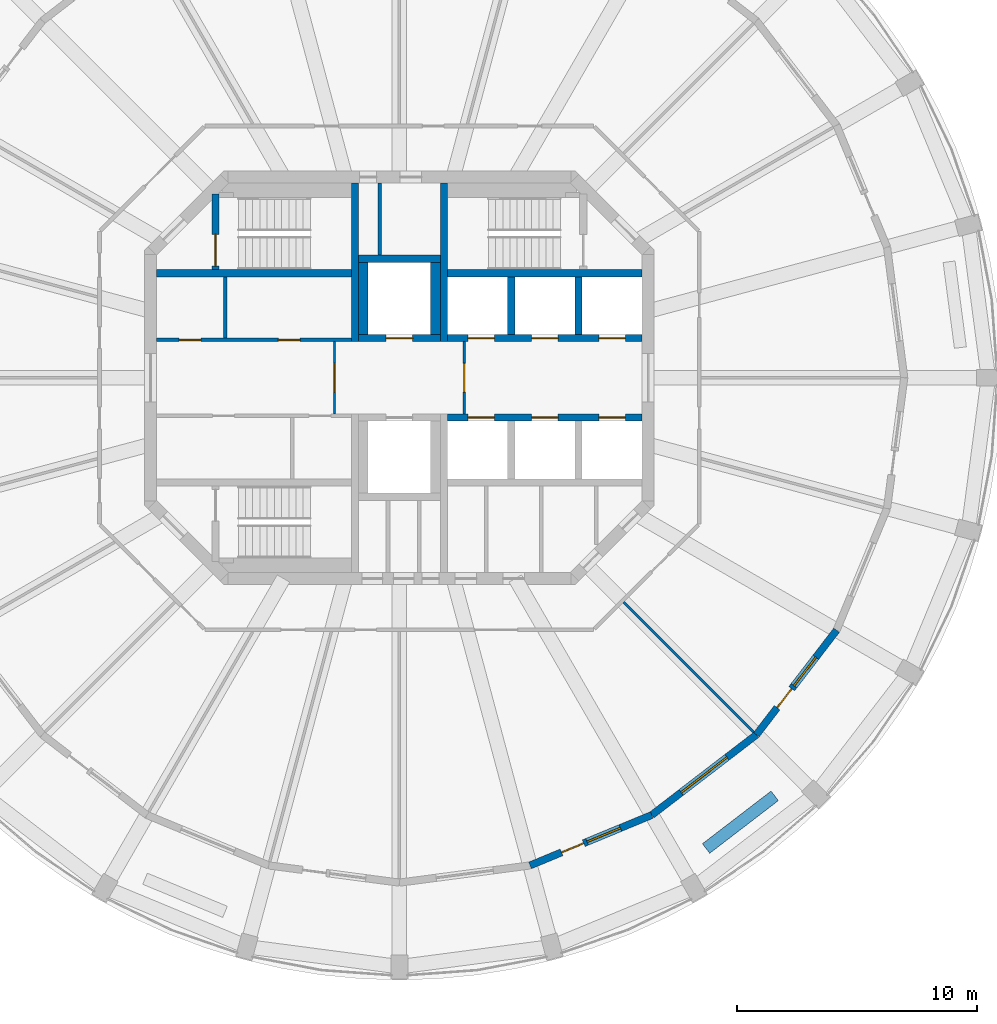
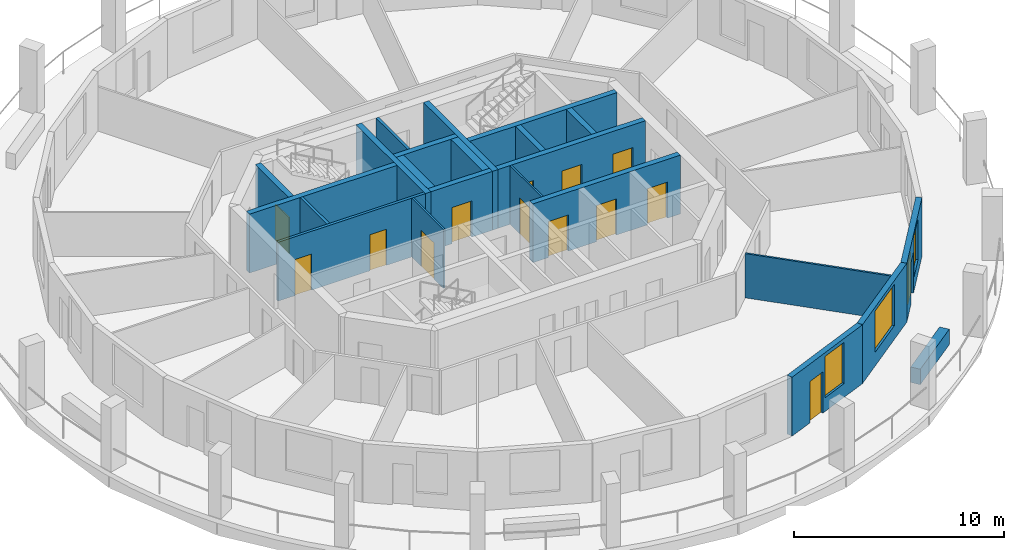
# One storey, part 4 of 9: 23 walls, 14 doors, 3 windows, 17 openings.
"""IFC4 building model written with IfcOpenShell, lengths in metres."""

from ifc_helpers import new_model, si_unit, direction, frame, frame_2d, origin, place, context, subcontext, project, spatial, rectangle, extrude, material, layer, layer_set, type_object, element, fill, save


model = new_model("IFC4")

# Units and contexts
model_context = context("Model", 3, precision=1e-05, world=origin(), true_north=direction((0.0, 1.0)))
body_context = subcontext(model_context, "Body", "Model", "MODEL_VIEW")
ifc_project = project(units=[si_unit("LENGTHUNIT", "METRE"), si_unit("AREAUNIT", "SQUARE_METRE"), si_unit("VOLUMEUNIT", "CUBIC_METRE"), si_unit("PLANEANGLEUNIT", "RADIAN"), si_unit("MASSUNIT", "GRAM", prefix="KILO")], contexts=[model_context])

# Site, building, storey
site_placement = place(None, origin())
site = spatial("IfcSite", under=ifc_project, at=site_placement, CompositionType="ELEMENT")
building_placement = place(site_placement, origin())
building = spatial("IfcBuilding", under=site, at=building_placement, Name="Torre Triforio", CompositionType="ELEMENT")
storey_placement = place(building_placement, frame((0.0, 0.0, 264.89990234375)))
storey = spatial("IfcBuildingStorey", under=building, at=storey_placement, Name="L61", CompositionType="ELEMENT", Elevation=264.89990234375)

# Walls
ifc_material_1 = material(Name="Concrete C40", Category="concrete")
ifc_layer_1 = layer(ifc_material_1, 0.300048828125)
ifc_layer_set_1 = layer_set([ifc_layer_1], Name="Concrete C40")
wall_type_1 = type_object("IfcWallType", Name="Core wall 300 mm C40 EI 120", PredefinedType="SHEAR", material=ifc_layer_set_1)
for number, where, z_axis, x_axis, name in (
    (1, (-1.85009765625, 1.5, 0.0), (0.0, 0.0, 1.0), (0.0, 1.0, 0.0), "Core wall"),
    (2, (1.85009765625, 1.5, 0.0), (0.0, 0.0, 1.0), (0.0, 1.0, 0.0), "Core wall"),
):
    element("IfcWall", number, at=place(storey_placement, frame(where, z_axis=z_axis, x_axis=x_axis)), inside=storey, type_object=wall_type_1, Name=name, PredefinedType="SHEAR", context=body_context, shape_type="SweptSolid", body=[
        extrude(rectangle(XDim=6.60009765625, YDim=0.300048828125, at=frame_2d((3.300048828125, 0.0))), origin(), (0.0, 0.0, 1.0), 3.420166015625),
    ])

# Wall, opening, door
ifc_material_2 = material(Name="Block and board partition")
ifc_layer_2 = layer(ifc_material_2, 0.10009765625)
ifc_layer_set_2 = layer_set([ifc_layer_2], Name="Block and board partition")
wall_type_2 = type_object("IfcWallType", Name="Partition 100 mm EI 120", PredefinedType="PARTITIONING", material=ifc_layer_set_2)
wall_1_placement = place(storey_placement, frame((-2.699951171875, -1.5, 0.0), z_axis=(0.0, 0.0, 1.0), x_axis=(0.0, 1.0, 0.0)))
wall_1 = element("IfcWall", 3, at=wall_1_placement, inside=storey, type_object=wall_type_2, Name="Partition", PredefinedType="PARTITIONING", context=body_context, shape_type="SweptSolid", body=[
    extrude(rectangle(XDim=3.0, YDim=0.10009765625, at=frame_2d((1.5, 0.0))), origin(), (0.0, 0.0, 1.0), 3.420166015625),
])
opening_1_placement = place(wall_1_placement, frame((0.89990234375, 0.0, 0.0)))
opening_1 = element("IfcOpeningElement", 4, at=opening_1_placement, cuts=wall_1, Name="Opening FF-W", PredefinedType="OPENING", context=body_context, shape_type="SweptSolid", body=[
    extrude(rectangle(XDim=1.199951171875, YDim=2.10009765625, at=frame_2d((0.60009765625, 1.050048828125))), frame((0.0, 0.06005859375, 0.0), z_axis=(0.0, -1.0, 0.0), x_axis=(1.0, 0.0, 0.0)), (0.0, 0.0, 1.0), 0.1201171875),
])
ifc_material_3 = material(Name="Hollow metal fire door leaf")
door_type_1 = type_object("IfcDoorType", Name="Fire-fighting lobby door 1200 x 2100 EI 60", OperationType="NOTDEFINED", PredefinedType="DOOR", material=ifc_material_3)
door_1_placement = place(opening_1_placement, origin())
door_1 = element("IfcDoor", 5, at=door_1_placement, inside=storey, type_object=door_type_1, Name="Core door FF-W", OperationType="SINGLE_SWING_LEFT", OverallHeight=2.10009765625, OverallWidth=1.199951171875, PredefinedType="DOOR", context=body_context, shape_type="SweptSolid", body=[
    extrude(rectangle(XDim=1.199951171875, YDim=2.10009765625, at=frame_2d((0.60009765625, 1.050048828125))), frame((0.0, 0.02490234375, 0.0), z_axis=(0.0, -1.0, 0.0), x_axis=(1.0, 0.0, 0.0)), (0.0, 0.0, 1.0), 0.050048828125),
])
fill(opening_1, door_1)

wall_2_placement = place(storey_placement, frame((2.699951171875, -1.5, 0.0), z_axis=(0.0, 0.0, 1.0), x_axis=(0.0, 1.0, 0.0)))
wall_2 = element("IfcWall", 6, at=wall_2_placement, inside=storey, type_object=wall_type_2, Name="Partition", PredefinedType="PARTITIONING", context=body_context, shape_type="SweptSolid", body=[
    extrude(rectangle(XDim=3.0, YDim=0.10009765625, at=frame_2d((1.5, 0.0))), origin(), (0.0, 0.0, 1.0), 3.420166015625),
])
opening_2_placement = place(wall_2_placement, frame((0.89990234375, 0.0, 0.0)))
opening_2 = element("IfcOpeningElement", 7, at=opening_2_placement, cuts=wall_2, Name="Opening FF-E", PredefinedType="OPENING", context=body_context, shape_type="SweptSolid", body=[
    extrude(rectangle(XDim=1.199951171875, YDim=2.10009765625, at=frame_2d((0.60009765625, 1.050048828125))), frame((0.0, 0.06005859375, 0.0), z_axis=(0.0, -1.0, 0.0), x_axis=(1.0, 0.0, 0.0)), (0.0, 0.0, 1.0), 0.1201171875),
])
door_2_placement = place(opening_2_placement, origin())
door_2 = element("IfcDoor", 8, at=door_2_placement, inside=storey, type_object=door_type_1, Name="Core door FF-E", OperationType="SINGLE_SWING_LEFT", OverallHeight=2.10009765625, OverallWidth=1.199951171875, PredefinedType="DOOR", context=body_context, shape_type="SweptSolid", body=[
    extrude(rectangle(XDim=1.199951171875, YDim=2.10009765625, at=frame_2d((0.60009765625, 1.050048828125))), frame((0.0, 0.02490234375, 0.0), z_axis=(0.0, -1.0, 0.0), x_axis=(1.0, 0.0, 0.0)), (0.0, 0.0, 1.0), 0.050048828125),
])
fill(opening_2, door_2)

# Walls
ifc_material_4 = material(Name="Plasterboard on metal studs")
ifc_layer_3 = layer(ifc_material_4, 0.10009765625)
ifc_layer_set_3 = layer_set([ifc_layer_3], Name="Plasterboard on metal studs")
wall_type_3 = type_object("IfcWallType", Name="Partition 100 mm board on metal studs", PredefinedType="PARTITIONING", material=ifc_layer_set_3)
wall_3_placement = place(storey_placement, frame((9.33251953125, -9.33251953125, 0.0), z_axis=(0.0, 0.0, 1.0), x_axis=(0.707106781187, -0.707106781187, 0.0)))
element("IfcWall", 9, at=wall_3_placement, inside=storey, type_object=wall_type_3, Name="Partition 24", PredefinedType="PARTITIONING", context=body_context, shape_type="SweptSolid", body=[
    extrude(rectangle(XDim=7.638671875, YDim=0.10009765625, at=frame_2d((3.8193359375, 0.0))), origin(), (0.0, 0.0, 1.0), 2.570068359375),
])
ifc_layer_4 = layer(ifc_material_2, 0.14990234375)
ifc_layer_set_4 = layer_set([ifc_layer_4], Name="Block and board partition")
wall_type_4 = type_object("IfcWallType", Name="Partition 150 mm", PredefinedType="PARTITIONING", material=ifc_layer_set_4)
wall_4_placement = place(storey_placement, frame((-7.242431640625, 1.64990234375, 0.0), z_axis=(0.0, 0.0, 1.0), x_axis=(0.0, 1.0, 0.0)))
element("IfcWall", 10, at=wall_4_placement, inside=storey, type_object=wall_type_4, Name="Partition", PredefinedType="PARTITIONING", context=body_context, shape_type="SweptSolid", body=[
    extrude(rectangle(XDim=2.550048828125, YDim=0.14990234375, at=frame_2d((1.27490234375, 0.0))), origin(), (0.0, 0.0, 1.0), 3.420166015625),
])
ifc_layer_5 = layer(ifc_material_2, 0.14990234375)
ifc_layer_set_5 = layer_set([ifc_layer_5], Name="Block and board partition")
wall_type_5 = type_object("IfcWallType", Name="Partition 150 mm EI 120", PredefinedType="PARTITIONING", material=ifc_layer_set_5)
wall_5_placement = place(storey_placement, frame((-0.824951171875, 5.10009765625, 0.0), z_axis=(0.0, 0.0, 1.0), x_axis=(0.0, 1.0, 0.0)))
element("IfcWall", 11, at=wall_5_placement, inside=storey, type_object=wall_type_5, Name="Partition", PredefinedType="PARTITIONING", context=body_context, shape_type="SweptSolid", body=[
    extrude(rectangle(XDim=3.0, YDim=0.14990234375, at=frame_2d((1.5, 0.0))), origin(), (0.0, 0.0, 1.0), 3.420166015625),
])

# Wall, openings, doors
wall_6_placement = place(storey_placement, frame((-10.10009765625, 1.574951171875, 0.0), z_axis=(0.0, 0.0, 1.0), x_axis=(1.0, 0.0, 0.0)))
wall_6 = element("IfcWall", 12, at=wall_6_placement, inside=storey, type_object=wall_type_5, Name="Partition", PredefinedType="PARTITIONING", context=body_context, shape_type="SweptSolid", body=[
    extrude(rectangle(XDim=8.10009765625, YDim=0.14990234375, at=frame_2d((4.050048828125, 0.0))), origin(), (0.0, 0.0, 1.0), 3.420166015625),
])
opening_3_placement = place(wall_6_placement, frame((0.941162109375, 0.0, 0.0)))
opening_3 = element("IfcOpeningElement", 13, at=opening_3_placement, cuts=wall_6, Name="Opening FN-01A", PredefinedType="OPENING", context=body_context, shape_type="SweptSolid", body=[
    extrude(rectangle(XDim=0.89990234375, YDim=2.10009765625, at=frame_2d((0.449951171875, 1.050048828125))), frame((0.0, 0.0849609375, 0.0), z_axis=(0.0, -1.0, 0.0), x_axis=(1.0, 0.0, 0.0)), (0.0, 0.0, 1.0), 0.169921875),
])
opening_4_placement = place(wall_6_placement, frame((5.066162109375, 0.0, 0.0)))
opening_4 = element("IfcOpeningElement", 14, at=opening_4_placement, cuts=wall_6, Name="Opening FN-02", PredefinedType="OPENING", context=body_context, shape_type="SweptSolid", body=[
    extrude(rectangle(XDim=0.89990234375, YDim=2.10009765625, at=frame_2d((0.449951171875, 1.050048828125))), frame((0.0, 0.0849609375, 0.0), z_axis=(0.0, -1.0, 0.0), x_axis=(1.0, 0.0, 0.0)), (0.0, 0.0, 1.0), 0.169921875),
])
door_type_2 = type_object("IfcDoorType", Name="Plant room door 900 x 2100 EI 60", OperationType="NOTDEFINED", PredefinedType="DOOR", material=ifc_material_3)
door_3_placement = place(opening_3_placement, origin())
door_3 = element("IfcDoor", 15, at=door_3_placement, inside=storey, type_object=door_type_2, Name="Core door FN-01", OperationType="SINGLE_SWING_RIGHT", OverallHeight=2.10009765625, OverallWidth=0.89990234375, PredefinedType="DOOR", context=body_context, shape_type="SweptSolid", body=[
    extrude(rectangle(XDim=0.89990234375, YDim=2.10009765625, at=frame_2d((0.449951171875, 1.050048828125))), frame((0.0, 0.02490234375, 0.0), z_axis=(0.0, -1.0, 0.0), x_axis=(1.0, 0.0, 0.0)), (0.0, 0.0, 1.0), 0.050048828125),
])
fill(opening_3, door_3)
door_type_3 = type_object("IfcDoorType", Name="Room door 900 x 2100 EI 60", OperationType="NOTDEFINED", PredefinedType="DOOR", material=ifc_material_3)
door_4_placement = place(opening_4_placement, origin())
door_4 = element("IfcDoor", 16, at=door_4_placement, inside=storey, type_object=door_type_3, Name="Core door FN-02", OperationType="SINGLE_SWING_RIGHT", OverallHeight=2.10009765625, OverallWidth=0.89990234375, PredefinedType="DOOR", context=body_context, shape_type="SweptSolid", body=[
    extrude(rectangle(XDim=0.89990234375, YDim=2.10009765625, at=frame_2d((0.449951171875, 1.050048828125))), frame((0.0, 0.02490234375, 0.0), z_axis=(0.0, -1.0, 0.0), x_axis=(1.0, 0.0, 0.0)), (0.0, 0.0, 1.0), 0.050048828125),
])
fill(opening_4, door_4)

# Walls
ifc_material_5 = material(Name="Limestone cladding", Category="masonry")
ifc_layer_6 = layer(ifc_material_5, 0.10009765625)
ifc_layer_7 = layer(ifc_material_1, 0.39990234375)
ifc_layer_set_6 = layer_set([ifc_layer_6, ifc_layer_7], Name="Limestone cladding / Concrete C40")
wall_type_6 = type_object("IfcWallType", Name="Planter wall 500", PredefinedType="PARAPET", material=ifc_layer_set_6)
wall_7_placement = place(storey_placement, frame((12.756103515625, -19.580810546875, 0.0), z_axis=(0.0, 0.0, 1.0), x_axis=(0.793384730612, 0.608720518162, 0.0)))
element("IfcWall", 17, at=wall_7_placement, inside=storey, type_object=wall_type_6, Name="Planter L61 bay 21", PredefinedType="PARAPET", context=body_context, shape_type="SweptSolid", body=[
    extrude(rectangle(XDim=3.60009765625, YDim=0.5, at=frame_2d((1.800048828125, 0.0))), origin(), (0.0, 0.0, 1.0), 0.900146484375),
])
ifc_layer_8 = layer(ifc_material_1, 0.300048828125)
ifc_layer_set_7 = layer_set([ifc_layer_8], Name="Concrete C40")
wall_type_7 = type_object("IfcWallType", Name="Shaft wall 300 mm C40 EI 120", PredefinedType="SOLIDWALL", material=ifc_layer_set_7)
for number, where, z_axis, x_axis, name in (
    (18, (-10.10009765625, 4.35009765625, 0.0), (0.0, 0.0, 1.0), (1.0, 0.0, 0.0), "Shaft wall"),
    (19, (2.0, 4.35009765625, 0.0), (0.0, 0.0, 1.0), (1.0, 0.0, 0.0), "Shaft wall"),
):
    element("IfcWall", number, at=place(storey_placement, frame(where, z_axis=z_axis, x_axis=x_axis)), inside=storey, type_object=wall_type_7, Name=name, PredefinedType="SOLIDWALL", context=body_context, shape_type="SweptSolid", body=[
        extrude(rectangle(XDim=8.10009765625, YDim=0.300048828125, at=frame_2d((4.050048828125, 0.0))), origin(), (0.0, 0.0, 1.0), 3.420166015625),
    ])

# Wall, openings, doors
wall_8_placement = place(storey_placement, frame((2.0, 1.64990234375, 0.0), z_axis=(0.0, 0.0, 1.0), x_axis=(1.0, 0.0, 0.0)))
wall_8 = element("IfcWall", 20, at=wall_8_placement, inside=storey, type_object=wall_type_7, Name="Shaft wall", PredefinedType="SOLIDWALL", context=body_context, shape_type="SweptSolid", body=[
    extrude(rectangle(XDim=8.10009765625, YDim=0.300048828125, at=frame_2d((4.050048828125, 0.0))), origin(), (0.0, 0.0, 1.0), 3.420166015625),
])
opening_5_placement = place(wall_8_placement, frame((0.85009765625, 0.0, 0.0)))
opening_5 = element("IfcOpeningElement", 21, at=opening_5_placement, cuts=wall_8, Name="Opening LD", PredefinedType="OPENING", context=body_context, shape_type="SweptSolid", body=[
    extrude(rectangle(XDim=1.10009765625, YDim=2.10009765625, at=frame_2d((0.550048828125, 1.050048828125))), frame((0.0, 0.159912109375, 0.0), z_axis=(0.0, -1.0, 0.0), x_axis=(1.0, 0.0, 0.0)), (0.0, 0.0, 1.0), 0.320068359375),
])
opening_6_placement = place(wall_8_placement, frame((3.5, 0.0, 0.0)))
opening_6 = element("IfcOpeningElement", 22, at=opening_6_placement, cuts=wall_8, Name="Opening LD", PredefinedType="OPENING", context=body_context, shape_type="SweptSolid", body=[
    extrude(rectangle(XDim=1.10009765625, YDim=2.10009765625, at=frame_2d((0.550048828125, 1.050048828125))), frame((0.0, 0.159912109375, 0.0), z_axis=(0.0, -1.0, 0.0), x_axis=(1.0, 0.0, 0.0)), (0.0, 0.0, 1.0), 0.320068359375),
])
opening_7_placement = place(wall_8_placement, frame((6.300048828125, 0.0, 0.0)))
opening_7 = element("IfcOpeningElement", 23, at=opening_7_placement, cuts=wall_8, Name="Opening LD", PredefinedType="OPENING", context=body_context, shape_type="SweptSolid", body=[
    extrude(rectangle(XDim=1.10009765625, YDim=2.10009765625, at=frame_2d((0.550048828125, 1.050048828125))), frame((0.0, 0.159912109375, 0.0), z_axis=(0.0, -1.0, 0.0), x_axis=(1.0, 0.0, 0.0)), (0.0, 0.0, 1.0), 0.320068359375),
])
door_type_4 = type_object("IfcDoorType", Name="Landing door 1100 x 2100 EI 60", OperationType="DOUBLE_DOOR_SLIDING", PredefinedType="DOOR", material=ifc_material_3)
door_5_placement = place(opening_5_placement, origin())
door_5 = element("IfcDoor", 24, at=door_5_placement, inside=storey, type_object=door_type_4, Name="Landing door HR1", OperationType="DOUBLE_DOOR_SLIDING", OverallHeight=2.10009765625, OverallWidth=1.10009765625, PredefinedType="DOOR", context=body_context, shape_type="SweptSolid", body=[
    extrude(rectangle(XDim=1.10009765625, YDim=2.10009765625, at=frame_2d((0.550048828125, 1.050048828125))), frame((0.0, 0.02490234375, 0.0), z_axis=(0.0, -1.0, 0.0), x_axis=(1.0, 0.0, 0.0)), (0.0, 0.0, 1.0), 0.050048828125),
])
fill(opening_5, door_5)
door_6_placement = place(opening_6_placement, origin())
door_6 = element("IfcDoor", 25, at=door_6_placement, inside=storey, type_object=door_type_4, Name="Landing door HR2", OperationType="DOUBLE_DOOR_SLIDING", OverallHeight=2.10009765625, OverallWidth=1.10009765625, PredefinedType="DOOR", context=body_context, shape_type="SweptSolid", body=[
    extrude(rectangle(XDim=1.10009765625, YDim=2.10009765625, at=frame_2d((0.550048828125, 1.050048828125))), frame((0.0, 0.02490234375, 0.0), z_axis=(0.0, -1.0, 0.0), x_axis=(1.0, 0.0, 0.0)), (0.0, 0.0, 1.0), 0.050048828125),
])
fill(opening_6, door_6)
door_7_placement = place(opening_7_placement, origin())
door_7 = element("IfcDoor", 26, at=door_7_placement, inside=storey, type_object=door_type_4, Name="Landing door HR3", OperationType="DOUBLE_DOOR_SLIDING", OverallHeight=2.10009765625, OverallWidth=1.10009765625, PredefinedType="DOOR", context=body_context, shape_type="SweptSolid", body=[
    extrude(rectangle(XDim=1.10009765625, YDim=2.10009765625, at=frame_2d((0.550048828125, 1.050048828125))), frame((0.0, 0.02490234375, 0.0), z_axis=(0.0, -1.0, 0.0), x_axis=(1.0, 0.0, 0.0)), (0.0, 0.0, 1.0), 0.050048828125),
])
fill(opening_7, door_7)

wall_9_placement = place(storey_placement, frame((2.0, -1.64990234375, 0.0), z_axis=(0.0, 0.0, 1.0), x_axis=(1.0, 0.0, 0.0)))
wall_9 = element("IfcWall", 27, at=wall_9_placement, inside=storey, type_object=wall_type_7, Name="Shaft wall", PredefinedType="SOLIDWALL", context=body_context, shape_type="SweptSolid", body=[
    extrude(rectangle(XDim=8.10009765625, YDim=0.300048828125, at=frame_2d((4.050048828125, 0.0))), origin(), (0.0, 0.0, 1.0), 3.420166015625),
])
opening_8_placement = place(wall_9_placement, frame((0.85009765625, 0.0, 0.0)))
opening_8 = element("IfcOpeningElement", 28, at=opening_8_placement, cuts=wall_9, Name="Opening LD", PredefinedType="OPENING", context=body_context, shape_type="SweptSolid", body=[
    extrude(rectangle(XDim=1.10009765625, YDim=2.10009765625, at=frame_2d((0.550048828125, 1.050048828125))), frame((0.0, 0.159912109375, 0.0), z_axis=(0.0, -1.0, 0.0), x_axis=(1.0, 0.0, 0.0)), (0.0, 0.0, 1.0), 0.320068359375),
])
opening_9_placement = place(wall_9_placement, frame((3.5, 0.0, 0.0)))
opening_9 = element("IfcOpeningElement", 29, at=opening_9_placement, cuts=wall_9, Name="Opening LD", PredefinedType="OPENING", context=body_context, shape_type="SweptSolid", body=[
    extrude(rectangle(XDim=1.10009765625, YDim=2.10009765625, at=frame_2d((0.550048828125, 1.050048828125))), frame((0.0, 0.159912109375, 0.0), z_axis=(0.0, -1.0, 0.0), x_axis=(1.0, 0.0, 0.0)), (0.0, 0.0, 1.0), 0.320068359375),
])
opening_10_placement = place(wall_9_placement, frame((6.300048828125, 0.0, 0.0)))
opening_10 = element("IfcOpeningElement", 30, at=opening_10_placement, cuts=wall_9, Name="Opening LD", PredefinedType="OPENING", context=body_context, shape_type="SweptSolid", body=[
    extrude(rectangle(XDim=1.10009765625, YDim=2.10009765625, at=frame_2d((0.550048828125, 1.050048828125))), frame((0.0, 0.159912109375, 0.0), z_axis=(0.0, -1.0, 0.0), x_axis=(1.0, 0.0, 0.0)), (0.0, 0.0, 1.0), 0.320068359375),
])
door_8_placement = place(opening_8_placement, origin())
door_8 = element("IfcDoor", 31, at=door_8_placement, inside=storey, type_object=door_type_4, Name="Landing door HR4", OperationType="DOUBLE_DOOR_SLIDING", OverallHeight=2.10009765625, OverallWidth=1.10009765625, PredefinedType="DOOR", context=body_context, shape_type="SweptSolid", body=[
    extrude(rectangle(XDim=1.10009765625, YDim=2.10009765625, at=frame_2d((0.550048828125, 1.050048828125))), frame((0.0, 0.02490234375, 0.0), z_axis=(0.0, -1.0, 0.0), x_axis=(1.0, 0.0, 0.0)), (0.0, 0.0, 1.0), 0.050048828125),
])
fill(opening_8, door_8)
door_9_placement = place(opening_9_placement, origin())
door_9 = element("IfcDoor", 32, at=door_9_placement, inside=storey, type_object=door_type_4, Name="Landing door HR5", OperationType="DOUBLE_DOOR_SLIDING", OverallHeight=2.10009765625, OverallWidth=1.10009765625, PredefinedType="DOOR", context=body_context, shape_type="SweptSolid", body=[
    extrude(rectangle(XDim=1.10009765625, YDim=2.10009765625, at=frame_2d((0.550048828125, 1.050048828125))), frame((0.0, 0.02490234375, 0.0), z_axis=(0.0, -1.0, 0.0), x_axis=(1.0, 0.0, 0.0)), (0.0, 0.0, 1.0), 0.050048828125),
])
fill(opening_9, door_9)
door_10_placement = place(opening_10_placement, origin())
door_10 = element("IfcDoor", 33, at=door_10_placement, inside=storey, type_object=door_type_4, Name="Landing door HR6", OperationType="DOUBLE_DOOR_SLIDING", OverallHeight=2.10009765625, OverallWidth=1.10009765625, PredefinedType="DOOR", context=body_context, shape_type="SweptSolid", body=[
    extrude(rectangle(XDim=1.10009765625, YDim=2.10009765625, at=frame_2d((0.550048828125, 1.050048828125))), frame((0.0, 0.02490234375, 0.0), z_axis=(0.0, -1.0, 0.0), x_axis=(1.0, 0.0, 0.0)), (0.0, 0.0, 1.0), 0.050048828125),
])
fill(opening_10, door_10)

# Walls
for number, where, z_axis, x_axis, name in (
    (34, (4.64990234375, 1.800048828125, 0.0), (0.0, 0.0, 1.0), (0.0, 1.0, 0.0), "Shaft wall"),
    (35, (7.449951171875, 1.800048828125, 0.0), (0.0, 0.0, 1.0), (0.0, 1.0, 0.0), "Shaft wall"),
):
    element("IfcWall", number, at=place(storey_placement, frame(where, z_axis=z_axis, x_axis=x_axis)), inside=storey, type_object=wall_type_7, Name=name, PredefinedType="SOLIDWALL", context=body_context, shape_type="SweptSolid", body=[
        extrude(rectangle(XDim=2.39990234375, YDim=0.300048828125, at=frame_2d((1.199951171875, 0.0))), origin(), (0.0, 0.0, 1.0), 3.420166015625),
    ])

# Wall, opening, door
wall_10_placement = place(storey_placement, frame((-1.699951171875, 1.64990234375, 0.0), z_axis=(0.0, 0.0, 1.0), x_axis=(1.0, 0.0, 0.0)))
wall_10 = element("IfcWall", 36, at=wall_10_placement, inside=storey, type_object=wall_type_7, Name="Shaft wall", PredefinedType="SOLIDWALL", context=body_context, shape_type="SweptSolid", body=[
    extrude(rectangle(XDim=3.39990234375, YDim=0.300048828125, at=frame_2d((1.699951171875, 0.0))), origin(), (0.0, 0.0, 1.0), 3.420166015625),
])
opening_11_placement = place(wall_10_placement, frame((1.14990234375, 0.0, 0.0)))
opening_11 = element("IfcOpeningElement", 37, at=opening_11_placement, cuts=wall_10, Name="Opening LD", PredefinedType="OPENING", context=body_context, shape_type="SweptSolid", body=[
    extrude(rectangle(XDim=1.10009765625, YDim=2.10009765625, at=frame_2d((0.550048828125, 1.050048828125))), frame((0.0, 0.159912109375, 0.0), z_axis=(0.0, -1.0, 0.0), x_axis=(1.0, 0.0, 0.0)), (0.0, 0.0, 1.0), 0.320068359375),
])
door_11_placement = place(opening_11_placement, origin())
door_11 = element("IfcDoor", 38, at=door_11_placement, inside=storey, type_object=door_type_4, Name="Landing door FFL1", OperationType="DOUBLE_DOOR_SLIDING", OverallHeight=2.10009765625, OverallWidth=1.10009765625, PredefinedType="DOOR", context=body_context, shape_type="SweptSolid", body=[
    extrude(rectangle(XDim=1.10009765625, YDim=2.10009765625, at=frame_2d((0.550048828125, 1.050048828125))), frame((0.0, 0.02490234375, 0.0), z_axis=(0.0, -1.0, 0.0), x_axis=(1.0, 0.0, 0.0)), (0.0, 0.0, 1.0), 0.050048828125),
])
fill(opening_11, door_11)

# Walls
wall_11_placement = place(storey_placement, frame((-1.699951171875, 4.949951171875, 0.0), z_axis=(0.0, 0.0, 1.0), x_axis=(1.0, 0.0, 0.0)))
element("IfcWall", 39, at=wall_11_placement, inside=storey, type_object=wall_type_7, Name="Shaft wall", PredefinedType="SOLIDWALL", context=body_context, shape_type="SweptSolid", body=[
    extrude(rectangle(XDim=3.39990234375, YDim=0.300048828125, at=frame_2d((1.699951171875, 0.0))), origin(), (0.0, 0.0, 1.0), 3.420166015625),
])
ifc_layer_9 = layer(ifc_material_1, 0.39990234375)
ifc_layer_set_8 = layer_set([ifc_layer_9], Name="Concrete C40")
wall_type_8 = type_object("IfcWallType", Name="Shaft wall 400 mm C40 EI 120", PredefinedType="SOLIDWALL", material=ifc_layer_set_8)
for number, where, z_axis, x_axis, name in (
    (40, (-1.5, 1.800048828125, 0.0), (0.0, 0.0, 1.0), (0.0, 1.0, 0.0), "Shaft wall"),
    (41, (1.5, 1.800048828125, 0.0), (0.0, 0.0, 1.0), (0.0, 1.0, 0.0), "Shaft wall"),
):
    element("IfcWall", number, at=place(storey_placement, frame(where, z_axis=z_axis, x_axis=x_axis)), inside=storey, type_object=wall_type_8, Name=name, PredefinedType="SOLIDWALL", context=body_context, shape_type="SweptSolid", body=[
        extrude(rectangle(XDim=3.0, YDim=0.39990234375, at=frame_2d((1.5, 0.0))), origin(), (0.0, 0.0, 1.0), 3.420166015625),
    ])

# Wall, opening, door
ifc_layer_10 = layer(ifc_material_1, 0.300048828125)
ifc_layer_set_9 = layer_set([ifc_layer_10], Name="Concrete C40")
wall_type_9 = type_object("IfcWallType", Name="Stair wall 300 mm C40 EI 120", PredefinedType="SHEAR", material=ifc_layer_set_9)
wall_12_placement = place(storey_placement, frame((-7.64990234375, 4.5, 0.0), z_axis=(0.0, 0.0, 1.0), x_axis=(0.0, 1.0, 0.0)))
wall_12 = element("IfcWall", 42, at=wall_12_placement, inside=storey, type_object=wall_type_9, Name="Stair wall", PredefinedType="SHEAR", context=body_context, shape_type="SweptSolid", body=[
    extrude(rectangle(XDim=3.139892578125, YDim=0.300048828125, at=frame_2d((1.56982421875, 0.0))), origin(), (0.0, 0.0, 1.0), 3.420166015625),
])
opening_12_placement = place(wall_12_placement, frame((0.139892578125, 0.0, 0.0)))
opening_12 = element("IfcOpeningElement", 43, at=opening_12_placement, cuts=wall_12, Name="Opening ST1-STA", PredefinedType="OPENING", context=body_context, shape_type="SweptSolid", body=[
    extrude(rectangle(XDim=1.320068359375, YDim=2.10009765625, at=frame_2d((0.66015625, 1.050048828125))), frame((0.0, 0.159912109375, 0.0), z_axis=(0.0, -1.0, 0.0), x_axis=(1.0, 0.0, 0.0)), (0.0, 0.0, 1.0), 0.320068359375),
])
door_type_5 = type_object("IfcDoorType", Name="Stair door 1320 x 2100 EI 90", OperationType="DOUBLE_DOOR_SINGLE_SWING", PredefinedType="DOOR", material=ifc_material_3)
door_12_placement = place(opening_12_placement, origin())
door_12 = element("IfcDoor", 44, at=door_12_placement, inside=storey, type_object=door_type_5, Name="Core door ST1-ST", OperationType="DOUBLE_DOOR_SINGLE_SWING", OverallHeight=2.10009765625, OverallWidth=1.320068359375, PredefinedType="DOOR", context=body_context, shape_type="SweptSolid", body=[
    extrude(rectangle(XDim=1.320068359375, YDim=2.10009765625, at=frame_2d((0.66015625, 1.050048828125))), frame((0.0, 0.02490234375, 0.0), z_axis=(0.0, -1.0, 0.0), x_axis=(1.0, 0.0, 0.0)), (0.0, 0.0, 1.0), 0.050048828125),
])
fill(opening_12, door_12)

# Wall, openings, door, window
ifc_layer_11 = layer(ifc_material_5, 0.10009765625)
ifc_layer_12 = layer(ifc_material_1, 0.199951171875)
ifc_layer_set_10 = layer_set([ifc_layer_11, ifc_layer_12], Name="Limestone cladding / Concrete C40")
wall_type_10 = type_object("IfcWallType", Name="Stone-faced composite wall 300", PredefinedType="STANDARD", material=ifc_layer_set_10)
wall_13_placement = place(storey_placement, frame((5.435302734375, -20.284423828125, 0.0), z_axis=(0.0, 0.0, 1.0), x_axis=(0.923877333662, 0.382688740813, 0.0)))
wall_13 = element("IfcWall", 45, at=wall_13_placement, inside=storey, type_object=wall_type_10, Name="External wall L61 bay 20", PredefinedType="STANDARD", context=body_context, shape_type="SweptSolid", body=[
    extrude(rectangle(XDim=5.48193359375, YDim=0.300048828125, at=frame_2d((2.740966796875, 0.0))), origin(), (0.0, 0.0, 1.0), 3.420166015625),
])
opening_13_placement = place(wall_13_placement, frame((1.416015625, 0.0, 0.0)))
opening_13 = element("IfcOpeningElement", 46, at=opening_13_placement, cuts=wall_13, Name="Opening E2-D20", PredefinedType="OPENING", context=body_context, shape_type="SweptSolid", body=[
    extrude(rectangle(XDim=1.0, YDim=2.39990234375, at=frame_2d((0.5, 1.199951171875))), frame((0.0, 0.159912109375, 0.0), z_axis=(0.0, -1.0, 0.0), x_axis=(1.0, 0.0, 0.0)), (0.0, 0.0, 1.0), 0.320068359375),
])
opening_14_placement = place(wall_13_placement, frame((2.566162109375, 0.0, 0.800048828125)))
opening_14 = element("IfcOpeningElement", 47, at=opening_14_placement, cuts=wall_13, Name="Opening E2-W20A", PredefinedType="OPENING", context=body_context, shape_type="SweptSolid", body=[
    extrude(rectangle(XDim=1.5, YDim=2.39990234375, at=frame_2d((0.75, 1.199951171875))), frame((0.0, 0.159912109375, 0.0), z_axis=(0.0, -1.0, 0.0), x_axis=(1.0, 0.0, 0.0)), (0.0, 0.0, 1.0), 0.320068359375),
])
ifc_material_6 = material(Name="Aluminium frame with clear double glazing", Category="aluminium")
door_type_6 = type_object("IfcDoorType", Name="Loggia door 1000 x 2400", OperationType="NOTDEFINED", PredefinedType="DOOR", material=ifc_material_6)
door_13_placement = place(opening_13_placement, origin())
door_13 = element("IfcDoor", 48, at=door_13_placement, inside=storey, type_object=door_type_6, Name="Loggia door L61 bay 20", OperationType="SINGLE_SWING_LEFT", OverallHeight=2.39990234375, OverallWidth=1.0, PredefinedType="DOOR", context=body_context, shape_type="SweptSolid", body=[
    extrude(rectangle(XDim=1.0, YDim=2.39990234375, at=frame_2d((0.5, 1.199951171875))), frame((0.0, 0.02490234375, 0.0), z_axis=(0.0, -1.0, 0.0), x_axis=(1.0, 0.0, 0.0)), (0.0, 0.0, 1.0), 0.050048828125),
])
fill(opening_13, door_13)
window_type_1 = type_object("IfcWindowType", Name="Side window 1500 x 2400", PartitioningType="SINGLE_PANEL", PredefinedType="WINDOW", material=ifc_material_6)
window_1_placement = place(opening_14_placement, origin())
window_1 = element("IfcWindow", 49, at=window_1_placement, inside=storey, type_object=window_type_1, Name="Side window EWN14 L61 bay 20", OverallHeight=2.39990234375, OverallWidth=1.5, PartitioningType="SINGLE_PANEL", PredefinedType="WINDOW", context=body_context, shape_type="SweptSolid", body=[
    extrude(rectangle(XDim=1.5, YDim=2.39990234375, at=frame_2d((0.75, 1.199951171875))), frame((0.0, 0.030029296875, 0.0), z_axis=(0.0, -1.0, 0.0), x_axis=(1.0, 0.0, 0.0)), (0.0, 0.0, 1.0), 0.06005859375),
])
fill(opening_14, window_1)

# Wall, opening, window
wall_14_placement = place(storey_placement, frame((10.5, -18.1865234375, 0.0), z_axis=(0.0, 0.0, 1.0), x_axis=(0.793335336593, 0.608784891166, 0.0)))
wall_14 = element("IfcWall", 50, at=wall_14_placement, inside=storey, type_object=wall_type_10, Name="External wall L61 bay 21", PredefinedType="STANDARD", context=body_context, shape_type="SweptSolid", body=[
    extrude(rectangle(XDim=5.482177734375, YDim=0.300048828125, at=frame_2d((2.7412109375, 0.0))), origin(), (0.0, 0.0, 1.0), 3.420166015625),
])
opening_15_placement = place(wall_14_placement, frame((1.541015625, 0.0, 0.800048828125)))
opening_15 = element("IfcOpeningElement", 51, at=opening_15_placement, cuts=wall_14, Name="Opening E2-W21", PredefinedType="OPENING", context=body_context, shape_type="SweptSolid", body=[
    extrude(rectangle(XDim=2.39990234375, YDim=2.39990234375, at=frame_2d((1.199951171875, 1.199951171875))), frame((0.0, 0.159912109375, 0.0), z_axis=(0.0, -1.0, 0.0), x_axis=(1.0, 0.0, 0.0)), (0.0, 0.0, 1.0), 0.320068359375),
])
window_type_2 = type_object("IfcWindowType", Name="Punched window 2400 x 2400", PartitioningType="DOUBLE_PANEL_VERTICAL", PredefinedType="WINDOW", material=ifc_material_6)
window_2_placement = place(opening_15_placement, origin())
window_2 = element("IfcWindow", 52, at=window_2_placement, inside=storey, type_object=window_type_2, Name="Window EWN4 L61 bay 21", OverallHeight=2.39990234375, OverallWidth=2.39990234375, PartitioningType="SINGLE_PANEL", PredefinedType="WINDOW", context=body_context, shape_type="SweptSolid", body=[
    extrude(rectangle(XDim=2.39990234375, YDim=2.39990234375, at=frame_2d((1.199951171875, 1.199951171875))), frame((0.0, 0.030029296875, 0.0), z_axis=(0.0, -1.0, 0.0), x_axis=(1.0, 0.0, 0.0)), (0.0, 0.0, 1.0), 0.06005859375),
])
fill(opening_15, window_2)

# Wall, openings, door, window
wall_15_placement = place(storey_placement, frame((14.84912109375, -14.84912109375, 0.0), z_axis=(0.0, 0.0, 1.0), x_axis=(0.608784891166, 0.793335336593, 0.0)))
wall_15 = element("IfcWall", 53, at=wall_15_placement, inside=storey, type_object=wall_type_10, Name="External wall L61 bay 22", PredefinedType="STANDARD", context=body_context, shape_type="SweptSolid", body=[
    extrude(rectangle(XDim=5.482177734375, YDim=0.300048828125, at=frame_2d((2.7412109375, 0.0))), origin(), (0.0, 0.0, 1.0), 3.420166015625),
])
opening_16_placement = place(wall_15_placement, frame((1.416015625, 0.0, 0.0)))
opening_16 = element("IfcOpeningElement", 54, at=opening_16_placement, cuts=wall_15, Name="Opening E2-D22", PredefinedType="OPENING", context=body_context, shape_type="SweptSolid", body=[
    extrude(rectangle(XDim=1.0, YDim=2.39990234375, at=frame_2d((0.5, 1.199951171875))), frame((0.0, 0.159912109375, 0.0), z_axis=(0.0, -1.0, 0.0), x_axis=(1.0, 0.0, 0.0)), (0.0, 0.0, 1.0), 0.320068359375),
])
opening_17_placement = place(wall_15_placement, frame((2.56591796875, 0.0, 0.800048828125)))
opening_17 = element("IfcOpeningElement", 55, at=opening_17_placement, cuts=wall_15, Name="Opening E2-W22A", PredefinedType="OPENING", context=body_context, shape_type="SweptSolid", body=[
    extrude(rectangle(XDim=1.5, YDim=2.39990234375, at=frame_2d((0.75, 1.199951171875))), frame((0.0, 0.159912109375, 0.0), z_axis=(0.0, -1.0, 0.0), x_axis=(1.0, 0.0, 0.0)), (0.0, 0.0, 1.0), 0.320068359375),
])
door_14_placement = place(opening_16_placement, origin())
door_14 = element("IfcDoor", 56, at=door_14_placement, inside=storey, type_object=door_type_6, Name="Loggia door L61 bay 22", OperationType="SINGLE_SWING_LEFT", OverallHeight=2.39990234375, OverallWidth=1.0, PredefinedType="DOOR", context=body_context, shape_type="SweptSolid", body=[
    extrude(rectangle(XDim=1.0, YDim=2.39990234375, at=frame_2d((0.5, 1.199951171875))), frame((0.0, 0.02490234375, 0.0), z_axis=(0.0, -1.0, 0.0), x_axis=(1.0, 0.0, 0.0)), (0.0, 0.0, 1.0), 0.050048828125),
])
fill(opening_16, door_14)
window_3_placement = place(opening_17_placement, origin())
window_3 = element("IfcWindow", 57, at=window_3_placement, inside=storey, type_object=window_type_1, Name="Side window EWN14 L61 bay 22", OverallHeight=2.39990234375, OverallWidth=1.5, PartitioningType="SINGLE_PANEL", PredefinedType="WINDOW", context=body_context, shape_type="SweptSolid", body=[
    extrude(rectangle(XDim=1.5, YDim=2.39990234375, at=frame_2d((0.75, 1.199951171875))), frame((0.0, 0.030029296875, 0.0), z_axis=(0.0, -1.0, 0.0), x_axis=(1.0, 0.0, 0.0)), (0.0, 0.0, 1.0), 0.06005859375),
])
fill(opening_17, window_3)

save(model, "model.ifc")
